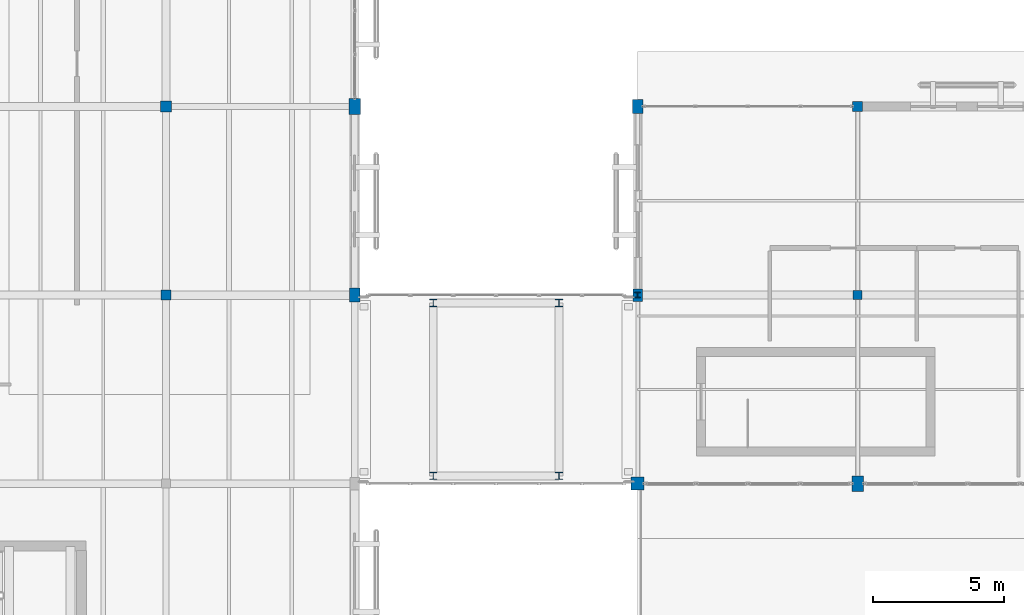
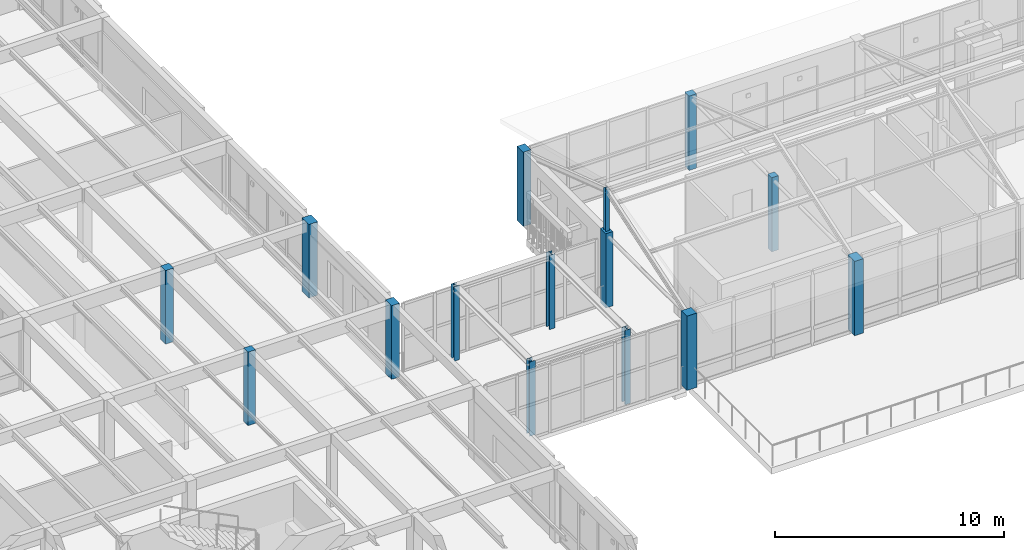
# One storey, part 2 of 112: 15 columns.
"""IFC4 building model written with IfcOpenShell, lengths in metres."""

from ifc_helpers import new_model, si_unit, direction, frame, origin, origin_2d, place, context, subcontext, project, spatial, rectangle, i_section, extrude, material, material_profile, profile_set, type_object, element, save


model = new_model("IFC4")

# Units and contexts
model_context = context("Model", 3, precision=1e-05, world=origin(), true_north=direction((0.0, 1.0)))
body_context = subcontext(model_context, "Body", "Model", "MODEL_VIEW")
ifc_project = project(units=[si_unit("LENGTHUNIT", "METRE"), si_unit("AREAUNIT", "SQUARE_METRE"), si_unit("VOLUMEUNIT", "CUBIC_METRE"), si_unit("PLANEANGLEUNIT", "RADIAN"), si_unit("MASSUNIT", "GRAM", prefix="KILO")], contexts=[model_context])

# Site, building, storey
site_placement = place(None, origin())
site = spatial("IfcSite", under=ifc_project, at=site_placement, CompositionType="ELEMENT")
building_placement = place(site_placement, origin())
building = spatial("IfcBuilding", under=site, at=building_placement, Name="Mazaris Harbour Polytechnic", CompositionType="ELEMENT")
storey_placement = place(building_placement, frame((0.0, 0.0, 13.800048828125)))
storey = spatial("IfcBuildingStorey", under=building, at=storey_placement, Name="L03", CompositionType="ELEMENT", Elevation=13.800048828125)

# Columns
ifc_material_1 = material(Name="Glulam GL28h", Category="wood")
ifc_material_profile_1 = material_profile(ifc_material_1, rectangle(XDim=0.340087890625, YDim=0.340087890625, at=origin_2d()), Name="RECT340x340")
ifc_profile_set_1 = profile_set([ifc_material_profile_1], Name="Glulam GL28h")
column_type_1 = type_object("IfcColumnType", Name="Glulam Column 340x340", PredefinedType="COLUMN", material=ifc_profile_set_1)
column_1_placement = place(storey_placement, frame((62.39990234375, 28.800048828125, 0.0), z_axis=(0.0, 0.0, 1.0), x_axis=(1.0, 0.0, 0.0)))
element("IfcColumn", 1, at=column_1_placement, inside=storey, type_object=column_type_1, Name="V3 L03 Column 544", PredefinedType="COLUMN", context=body_context, shape_type="SweptSolid", body=[
    extrude(rectangle(XDim=0.340087890625, YDim=0.340087890625, at=origin_2d()), origin(), (0.0, 0.0, 1.0), 3.9599609375),
])
ifc_material_2 = material(Name="Glulam GL28h", Category="wood")
ifc_material_profile_2 = material_profile(ifc_material_2, rectangle(XDim=0.360107421875, YDim=0.47998046875, at=origin_2d()), Name="RECT360x480")
ifc_profile_set_2 = profile_set([ifc_material_profile_2], Name="Glulam GL28h")
column_type_2 = type_object("IfcColumnType", Name="Glulam Column 360x480 Exterior", PredefinedType="COLUMN", material=ifc_profile_set_2)
column_2_placement = place(storey_placement, frame((54.0, 28.800048828125, 0.0), z_axis=(0.0, 0.0, 1.0), x_axis=(1.0, 0.0, 0.0)))
element("IfcColumn", 2, at=column_2_placement, inside=storey, type_object=column_type_2, Name="V3 L03 Column 541", PredefinedType="COLUMN", context=body_context, shape_type="SweptSolid", body=[
    extrude(rectangle(XDim=0.360107421875, YDim=0.47998046875, at=origin_2d()), origin(), (0.0, 0.0, 1.0), 3.9599609375),
])
ifc_material_3 = material(Name="Glulam GL28h", Category="wood")
ifc_material_profile_3 = material_profile(ifc_material_3, rectangle(XDim=0.3798828125, YDim=0.3798828125, at=origin_2d()), Name="RECT380x380")
ifc_profile_set_3 = profile_set([ifc_material_profile_3], Name="Glulam GL28h")
column_type_3 = type_object("IfcColumnType", Name="Glulam Column 380x380", PredefinedType="COLUMN", material=ifc_profile_set_3)
column_3_placement = place(storey_placement, frame((36.0, 28.800048828125, 0.0), z_axis=(0.0, 0.0, 1.0), x_axis=(1.0, 0.0, 0.0)))
element("IfcColumn", 3, at=column_3_placement, inside=storey, type_object=column_type_3, Name="V4 L03 Column 969", PredefinedType="COLUMN", context=body_context, shape_type="SweptSolid", body=[
    extrude(rectangle(XDim=0.3798828125, YDim=0.3798828125, at=origin_2d()), origin(), (0.0, 0.0, 1.0), 3.919921875),
])
ifc_material_4 = material(Name="Glulam GL28h", Category="wood")
ifc_material_profile_4 = material_profile(ifc_material_4, rectangle(XDim=0.3798828125, YDim=0.3798828125, at=origin_2d()), Name="RECT380x380")
ifc_profile_set_4 = profile_set([ifc_material_profile_4], Name="Glulam GL28h")
column_type_4 = type_object("IfcColumnType", Name="Glulam Column 380x380 Exterior", PredefinedType="COLUMN", material=ifc_profile_set_4)
column_4_placement = place(storey_placement, frame((62.39990234375, 36.0, 0.0), z_axis=(0.0, 0.0, 1.0), x_axis=(1.0, 0.0, 0.0)))
element("IfcColumn", 4, at=column_4_placement, inside=storey, type_object=column_type_4, Name="V3 L03 Column 545", PredefinedType="COLUMN", context=body_context, shape_type="SweptSolid", body=[
    extrude(rectangle(XDim=0.3798828125, YDim=0.3798828125, at=origin_2d()), origin(), (0.0, 0.0, 1.0), 3.9599609375),
])
ifc_material_5 = material(Name="Glulam GL28h", Category="wood")
ifc_material_profile_5 = material_profile(ifc_material_5, rectangle(XDim=0.39990234375, YDim=0.5400390625, at=origin_2d()), Name="RECT400x540")
ifc_profile_set_5 = profile_set([ifc_material_profile_5], Name="Glulam GL28h")
column_type_5 = type_object("IfcColumnType", Name="Glulam Column 400x540 Exterior", PredefinedType="COLUMN", material=ifc_profile_set_5)
column_5_placement = place(storey_placement, frame((54.0, 36.0, 0.0), z_axis=(0.0, 0.0, 1.0), x_axis=(1.0, 0.0, 0.0)))
element("IfcColumn", 5, at=column_5_placement, inside=storey, type_object=column_type_5, Name="V3 L03 Column 542", PredefinedType="COLUMN", context=body_context, shape_type="SweptSolid", body=[
    extrude(rectangle(XDim=0.39990234375, YDim=0.5400390625, at=origin_2d()), origin(), (0.0, 0.0, 1.0), 3.9599609375),
])
column_6_placement = place(storey_placement, frame((43.199951171875, 28.800048828125, 0.0), z_axis=(0.0, 0.0, 1.0), x_axis=(1.0, 0.0, 0.0)))
element("IfcColumn", 6, at=column_6_placement, inside=storey, type_object=column_type_5, Name="V4 L03 Column 982", PredefinedType="COLUMN", context=body_context, shape_type="SweptSolid", body=[
    extrude(rectangle(XDim=0.39990234375, YDim=0.5400390625, at=origin_2d()), origin(), (0.0, 0.0, 1.0), 3.919921875),
])
ifc_material_6 = material(Name="Glulam GL28h", Category="wood")
ifc_material_profile_6 = material_profile(ifc_material_6, rectangle(XDim=0.419921875, YDim=0.419921875, at=origin_2d()), Name="RECT420x420")
ifc_profile_set_6 = profile_set([ifc_material_profile_6], Name="Glulam GL28h")
column_type_6 = type_object("IfcColumnType", Name="Glulam Column 420x420", PredefinedType="COLUMN", material=ifc_profile_set_6)
column_7_placement = place(storey_placement, frame((36.0, 36.0, 0.0), z_axis=(0.0, 0.0, 1.0), x_axis=(1.0, 0.0, 0.0)))
element("IfcColumn", 7, at=column_7_placement, inside=storey, type_object=column_type_6, Name="V4 L03 Column 970", PredefinedType="COLUMN", context=body_context, shape_type="SweptSolid", body=[
    extrude(rectangle(XDim=0.419921875, YDim=0.419921875, at=origin_2d()), origin(), (0.0, 0.0, 1.0), 3.919921875),
])
ifc_material_7 = material(Name="Glulam GL28h", Category="wood")
ifc_material_profile_7 = material_profile(ifc_material_7, rectangle(XDim=0.43994140625, YDim=0.60009765625, at=origin_2d()), Name="RECT440x600")
ifc_profile_set_7 = profile_set([ifc_material_profile_7], Name="Glulam GL28h")
column_type_7 = type_object("IfcColumnType", Name="Glulam Column 440x600 Exterior", PredefinedType="COLUMN", material=ifc_profile_set_7)
column_8_placement = place(storey_placement, frame((62.39990234375, 21.60009765625, 0.0), z_axis=(0.0, 0.0, 1.0), x_axis=(1.0, 0.0, 0.0)))
element("IfcColumn", 8, at=column_8_placement, inside=storey, type_object=column_type_7, Name="V3 L03 Column 543", PredefinedType="COLUMN", context=body_context, shape_type="SweptSolid", body=[
    extrude(rectangle(XDim=0.43994140625, YDim=0.60009765625, at=origin_2d()), origin(), (0.0, 0.0, 1.0), 3.9599609375),
])
column_9_placement = place(storey_placement, frame((43.199951171875, 36.0, 0.0), z_axis=(0.0, 0.0, 1.0), x_axis=(1.0, 0.0, 0.0)))
element("IfcColumn", 9, at=column_9_placement, inside=storey, type_object=column_type_7, Name="V4 L03 Column 983", PredefinedType="COLUMN", context=body_context, shape_type="SweptSolid", body=[
    extrude(rectangle(XDim=0.43994140625, YDim=0.60009765625, at=origin_2d()), origin(), (0.0, 0.0, 1.0), 3.919921875),
])
ifc_material_8 = material(Name="Glulam GL28h", Category="wood")
ifc_material_profile_8 = material_profile(ifc_material_8, rectangle(XDim=0.5, YDim=0.5, at=origin_2d()), Name="RECT500x500")
ifc_profile_set_8 = profile_set([ifc_material_profile_8], Name="Glulam GL28h")
column_type_8 = type_object("IfcColumnType", Name="Glulam Column 500x500 Exterior", PredefinedType="COLUMN", material=ifc_profile_set_8)
column_10_placement = place(storey_placement, frame((54.0, 21.60009765625, 0.0), z_axis=(0.0, 0.0, 1.0), x_axis=(1.0, 0.0, 0.0)))
element("IfcColumn", 10, at=column_10_placement, inside=storey, type_object=column_type_8, Name="V3 L03 Column 540", PredefinedType="COLUMN", context=body_context, shape_type="SweptSolid", body=[
    extrude(rectangle(XDim=0.5, YDim=0.5, at=origin_2d()), origin(), (0.0, 0.0, 1.0), 3.9599609375),
])
ifc_material_9 = material(Name="Steel S355", Category="steel")
ifc_material_profile_9 = material_profile(ifc_material_9, i_section(OverallWidth=0.199951171875, OverallDepth=0.199951171875, WebThickness=0.009033203125, FlangeThickness=0.014892578125, FilletRadius=0.01806640625, at=origin_2d()), Name="HEB 200")
ifc_profile_set_9 = profile_set([ifc_material_profile_9], Name="Steel S355")
column_type_9 = type_object("IfcColumnType", Name="Steel Column HEB200", PredefinedType="COLUMN", material=ifc_profile_set_9)
column_11_placement = place(storey_placement, frame((54.0, 28.800048828125, 3.9599609375), z_axis=(0.0, 0.0, 1.0), x_axis=(1.0, 0.0, 0.0)))
element("IfcColumn", 11, at=column_11_placement, inside=storey, type_object=column_type_9, Name="V3 Pavilion Ridge King Post 54.0", PredefinedType="COLUMN", context=body_context, shape_type="SweptSolid", body=[
    extrude(i_section(OverallWidth=0.199951171875, OverallDepth=0.199951171875, WebThickness=0.009033203125, FlangeThickness=0.014892578125, FilletRadius=0.01806640625, at=origin_2d()), origin(), (0.0, 0.0, 1.0), 2.235107421875),
])
ifc_material_10 = material(Name="Steel S355", Category="steel")
ifc_material_profile_10 = material_profile(ifc_material_10, i_section(OverallWidth=0.280029296875, OverallDepth=0.280029296875, WebThickness=0.010498046875, FlangeThickness=0.01806640625, FilletRadius=0.02392578125, at=origin_2d()), Name="HEB 280")
ifc_profile_set_10 = profile_set([ifc_material_profile_10], Name="Steel S355")
column_type_10 = type_object("IfcColumnType", Name="Steel Column HEB280 Exterior", PredefinedType="COLUMN", material=ifc_profile_set_10)
for number, where, z_axis, x_axis, name in (
    (12, (46.199951171875, 21.89990234375, 0.0), (0.0, 0.0, 1.0), (1.0, 0.0, 0.0), "PB-W1 L03 Bridge Column 1524"),
    (13, (51.0, 21.89990234375, 0.0), (0.0, 0.0, 1.0), (1.0, 0.0, 0.0), "PB-W1 L03 Bridge Column 1525"),
    (14, (46.199951171875, 28.5, 0.0), (0.0, 0.0, 1.0), (1.0, 0.0, 0.0), "PB-W1 L03 Bridge Column 1526"),
    (15, (51.0, 28.5, 0.0), (0.0, 0.0, 1.0), (1.0, 0.0, 0.0), "PB-W1 L03 Bridge Column 1527"),
):
    element("IfcColumn", number, at=place(storey_placement, frame(where, z_axis=z_axis, x_axis=x_axis)), inside=storey, type_object=column_type_10, Name=name, PredefinedType="COLUMN", context=body_context, shape_type="SweptSolid", body=[
        extrude(i_section(OverallWidth=0.280029296875, OverallDepth=0.280029296875, WebThickness=0.010498046875, FlangeThickness=0.01806640625, FilletRadius=0.02392578125, at=origin_2d()), origin(), (0.0, 0.0, 1.0), 3.9599609375),
    ])

save(model, "model.ifc")
